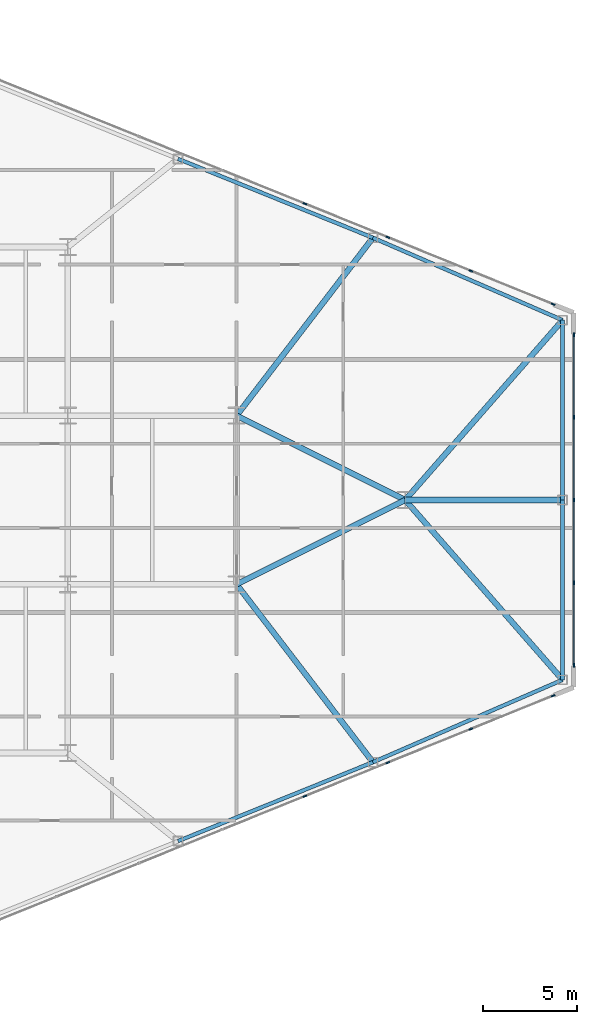
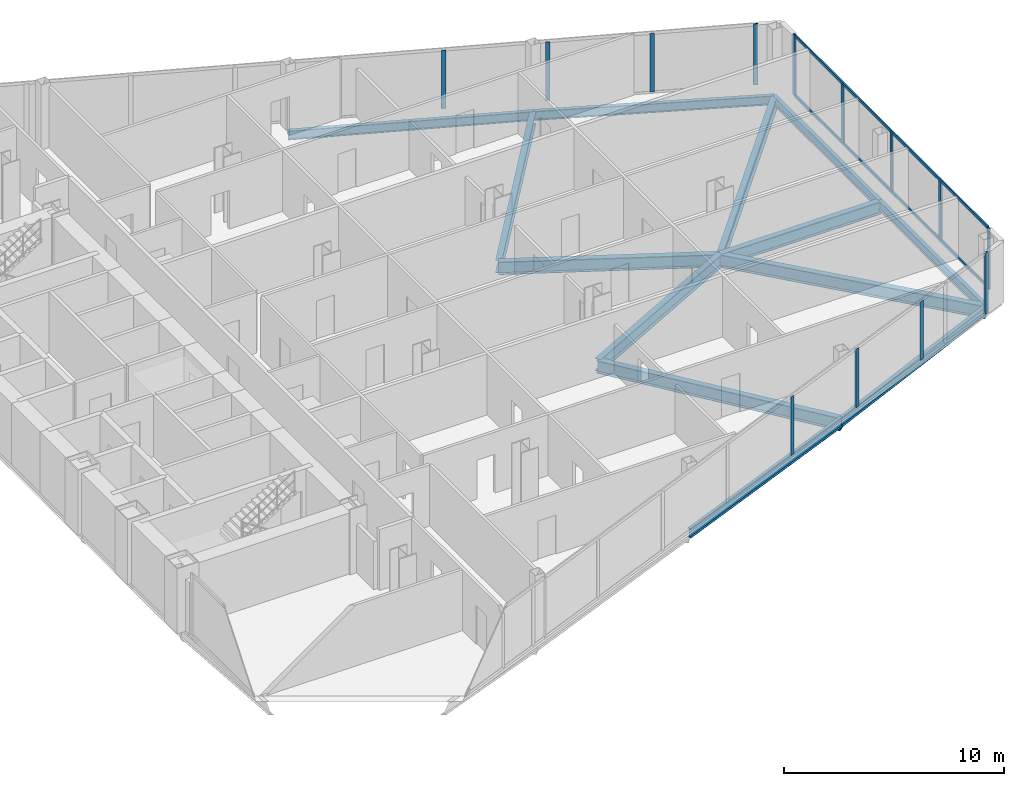
# One storey, part 14 of 25: 15 members, 13 beams, 3 elements without a shape of their own.
"""IFC4 building model written with IfcOpenShell, lengths in metres."""

from ifc_helpers import new_model, si_unit, direction, frame, origin, origin_2d, place, context, subcontext, project, spatial, rectangle, i_section, extrude, source, transform, mapped, material, layer, layer_set, material_profile, profile_set, type_object, type_shapes, element, aggregate, save


model = new_model("IFC4")

# Units and contexts
model_context = context("Model", 3, precision=1e-05, world=origin(), true_north=direction((0.0, 1.0)))
body_context = subcontext(model_context, "Body", "Model", "MODEL_VIEW")
ifc_project = project(units=[si_unit("LENGTHUNIT", "METRE"), si_unit("AREAUNIT", "SQUARE_METRE"), si_unit("VOLUMEUNIT", "CUBIC_METRE"), si_unit("PLANEANGLEUNIT", "RADIAN"), si_unit("MASSUNIT", "GRAM", prefix="KILO")], contexts=[model_context])

# Site, building, storey
site_placement = place(None, origin())
site = spatial("IfcSite", under=ifc_project, at=site_placement, CompositionType="ELEMENT")
building_placement = place(site_placement, origin())
building = spatial("IfcBuilding", under=site, at=building_placement, Name="Seokmaru Belvedere", CompositionType="ELEMENT")
storey_placement = place(building_placement, frame((0.0, 0.0, 33.300048828125)))
storey = spatial("IfcBuildingStorey", under=building, at=storey_placement, Name="L08", CompositionType="ELEMENT", Elevation=33.300048828125)

# Beams
ifc_material_1 = material(Name="Steel SM355 (355 MPa)", Category="steel")
ifc_material_profile_1 = material_profile(ifc_material_1, i_section(OverallWidth=0.300048828125, OverallDepth=0.699951171875, WebThickness=0.012939453125, FlangeThickness=0.02392578125, at=origin_2d()), Name="H-700x300x13x24")
ifc_profile_set_1 = profile_set([ifc_material_profile_1], Name="Steel SM355 (355 MPa)")
beam_type_1 = type_object("IfcBeamType", Name="Primary Floor Girder H-700", PredefinedType="BEAM", material=ifc_profile_set_1)
shared_shape_1 = source(origin(), body_context, "Body", "SweptSolid", [
    extrude(i_section(OverallWidth=0.300048828125, OverallDepth=0.699951171875, WebThickness=0.012939453125, FlangeThickness=0.02392578125, at=origin_2d()), origin(), (0.0, 0.0, 1.0), 10.062255859375),
])
for number, where, z_axis, x_axis, name in (
    (1, (54.5, -4.5, -0.570068359375), (0.894427191, 0.4472135955, 0.0), (-0.4472135955, 0.894427191, 0.0), "L08 E Apex Converging Girder 1"),
    (2, (54.5, 4.5, -0.570068359375), (0.894427191, -0.4472135955, 0.0), (0.4472135955, 0.894427191, 0.0), "L08 E Apex Converging Girder 2"),
):
    element("IfcBeam", number, at=place(storey_placement, frame(where, z_axis=z_axis, x_axis=x_axis)), inside=storey, type_object=beam_type_1, Name=name, PredefinedType="BEAM", context=body_context, shape_type="MappedRepresentation", body=[
        mapped(shared_shape_1, transform((0.0, 0.0, 0.0), scale=1.0)),
    ])
shared_shape_2 = source(origin(), body_context, "Body", "SweptSolid", [
    extrude(i_section(OverallWidth=0.300048828125, OverallDepth=0.699951171875, WebThickness=0.012939453125, FlangeThickness=0.02392578125, at=origin_2d()), origin(), (0.0, 0.0, 1.0), 12.7529296875),
])
for number, where, z_axis, x_axis, name in (
    (3, (71.89990234375, -9.595703125, -0.570068359375), (-0.658667231479, 0.752434368019, 0.0), (-0.752434368019, -0.658667231479, 0.0), "L08 E Apex Radial Floor Girder 1"),
    (4, (71.89990234375, 9.595703125, -0.570068359375), (-0.658667231479, -0.752434368019, 0.0), (0.752434368019, -0.658667231479, 0.0), "L08 E Apex Radial Floor Girder 2"),
):
    element("IfcBeam", number, at=place(storey_placement, frame(where, z_axis=z_axis, x_axis=x_axis)), inside=storey, type_object=beam_type_1, Name=name, PredefinedType="BEAM", context=body_context, shape_type="MappedRepresentation", body=[
        mapped(shared_shape_2, transform((0.0, 0.0, 0.0), scale=1.0)),
    ])
ifc_material_profile_2 = material_profile(ifc_material_1, i_section(OverallWidth=0.199951171875, OverallDepth=0.5, WebThickness=0.010009765625, FlangeThickness=0.01611328125, at=origin_2d()), Name="H-500x200x10x16")
ifc_profile_set_2 = profile_set([ifc_material_profile_2], Name="Steel SM355 (355 MPa)")
beam_type_2 = type_object("IfcBeamType", Name="Perimeter Spandrel Beam H-500", PredefinedType="SPANDREL", material=ifc_profile_set_2)
shared_shape_3 = source(origin(), body_context, "Body", "SweptSolid", [
    extrude(i_section(OverallWidth=0.199951171875, OverallDepth=0.5, WebThickness=0.010009765625, FlangeThickness=0.01611328125, at=origin_2d()), origin(), (0.0, 0.0, 1.0), 11.220703125),
])
for number, where, z_axis, x_axis, name in (
    (5, (51.378173828125, -18.2041015625, -0.469970703125), (0.926944290816, 0.375198989503, 0.0), (-0.375198989503, 0.926944290816, 0.0), "L08 E Faceted Flank Spandrel S-3"),
    (6, (51.378173828125, 18.2041015625, -0.469970703125), (0.926944290816, -0.375198989503, 0.0), (0.375198989503, 0.926944290816, 0.0), "L08 E Faceted Flank Spandrel N-3"),
):
    element("IfcBeam", number, at=place(storey_placement, frame(where, z_axis=z_axis, x_axis=x_axis)), inside=storey, type_object=beam_type_2, Name=name, PredefinedType="SPANDREL", context=body_context, shape_type="MappedRepresentation", body=[
        mapped(shared_shape_3, transform((0.0, 0.0, 0.0), scale=1.0)),
    ])
shared_shape_4 = source(origin(), body_context, "Body", "SweptSolid", [
    extrude(i_section(OverallWidth=0.199951171875, OverallDepth=0.5, WebThickness=0.010009765625, FlangeThickness=0.01611328125, at=origin_2d()), origin(), (0.0, 0.0, 1.0), 11.035400390625),
])
for number, where, z_axis, x_axis, name in (
    (7, (61.779052734375, -13.994140625, -0.469970703125), (0.917134058682, 0.398578873507, 0.0), (-0.398578873507, 0.917134058682, 0.0), "L08 E Faceted Flank Spandrel S-4"),
    (8, (61.779052734375, 13.994140625, -0.469970703125), (0.917134058682, -0.398578873507, 0.0), (0.398578873507, 0.917134058682, 0.0), "L08 E Faceted Flank Spandrel N-4"),
):
    element("IfcBeam", number, at=place(storey_placement, frame(where, z_axis=z_axis, x_axis=x_axis)), inside=storey, type_object=beam_type_2, Name=name, PredefinedType="SPANDREL", context=body_context, shape_type="MappedRepresentation", body=[
        mapped(shared_shape_4, transform((0.0, 0.0, 0.0), scale=1.0)),
    ])
shared_shape_5 = source(origin(), body_context, "Body", "SweptSolid", [
    extrude(i_section(OverallWidth=0.199951171875, OverallDepth=0.5, WebThickness=0.010009765625, FlangeThickness=0.01611328125, at=origin_2d()), origin(), (0.0, 0.0, 1.0), 9.595703125),
])
type_shapes(beam_type_2, [shared_shape_3, shared_shape_4, shared_shape_5])
for number, where, z_axis, x_axis, name in (
    (9, (71.89990234375, -9.595703125, -0.469970703125), (0.0, 1.0, 0.0), (-1.0, 0.0, 0.0), "L08 E Faceted Apex Spandrel S"),
    (10, (71.89990234375, 0.0, -0.469970703125), (0.0, 1.0, 0.0), (-1.0, 0.0, 0.0), "L08 E Faceted Apex Spandrel N"),
):
    element("IfcBeam", number, at=place(storey_placement, frame(where, z_axis=z_axis, x_axis=x_axis)), inside=storey, type_object=beam_type_2, Name=name, PredefinedType="SPANDREL", context=body_context, shape_type="MappedRepresentation", body=[
        mapped(shared_shape_5, transform((0.0, 0.0, 0.0), scale=1.0)),
    ])
shared_shape_6 = source(origin(), body_context, "Body", "SweptSolid", [
    extrude(i_section(OverallWidth=0.300048828125, OverallDepth=0.699951171875, WebThickness=0.012939453125, FlangeThickness=0.02392578125, at=origin_2d()), origin(), (0.0, 0.0, 1.0), 11.96337890625),
])
for number, where, z_axis, x_axis, name in (
    (11, (61.779052734375, -13.994140625, -0.570068359375), (-0.608442682624, 0.793597821294, 0.0), (-0.793597821294, -0.608442682624, 0.0), "L08 E Flank Radial Floor Girder S-3"),
    (12, (61.779052734375, 13.994140625, -0.570068359375), (-0.608442682624, -0.793597821294, 0.0), (0.793597821294, -0.608442682624, 0.0), "L08 E Flank Radial Floor Girder N-3"),
):
    element("IfcBeam", number, at=place(storey_placement, frame(where, z_axis=z_axis, x_axis=x_axis)), inside=storey, type_object=beam_type_1, Name=name, PredefinedType="BEAM", context=body_context, shape_type="MappedRepresentation", body=[
        mapped(shared_shape_6, transform((0.0, 0.0, 0.0), scale=1.0)),
    ])
shared_shape_7 = source(origin(), body_context, "Body", "SweptSolid", [
    extrude(i_section(OverallWidth=0.300048828125, OverallDepth=0.699951171875, WebThickness=0.012939453125, FlangeThickness=0.02392578125, at=origin_2d()), origin(), (0.0, 0.0, 1.0), 8.39990234375),
])
type_shapes(beam_type_1, [shared_shape_1, shared_shape_2, shared_shape_6, shared_shape_7])
beam_placement = place(storey_placement, frame((71.89990234375, 0.0, -0.570068359375), z_axis=(-1.0, 0.0, 0.0), x_axis=(0.0, -1.0, 0.0)))
element("IfcBeam", 13, at=beam_placement, inside=storey, type_object=beam_type_1, Name="L08 E Apex Center Radial Girder", PredefinedType="BEAM", context=body_context, shape_type="MappedRepresentation", body=[
    mapped(shared_shape_7, transform((0.0, 0.0, 0.0), scale=1.0)),
])

# Curtain wall, members
ifc_material_2 = material(Name="Bronze Triple Insulating Glass", Category="glass")
ifc_layer = layer(ifc_material_2, 0.2099609375)
ifc_layer_set = layer_set([ifc_layer], Name="Bronze Triple Insulating Glass")
curtain_wall_type = type_object("IfcCurtainWallType", Name="Low-Rise Faceted Crystal Curtain Wall System CW-2", PredefinedType="NOTDEFINED", material=ifc_layer_set)
curtain_wall_1_placement = place(storey_placement, origin())
curtain_wall_1 = element("IfcCurtainWall", 14, at=curtain_wall_1_placement, inside=storey, type_object=curtain_wall_type, Name="L08 Curtain Wall EF1", PredefinedType="NOTDEFINED")
ifc_material_3 = material(Name="Anodised Bronze Aluminium", Category="aluminium")
ifc_material_profile_3 = material_profile(ifc_material_3, rectangle(XDim=0.074951171875, YDim=0.2099609375, at=origin_2d()), Name="CW-M-75x210")
ifc_profile_set_3 = profile_set([ifc_material_profile_3], Name="Anodised Bronze Aluminium")
member_type_1 = type_object("IfcMemberType", Name="Bronze Unitised Mullion 75x210", PredefinedType="MULLION", material=ifc_profile_set_3)
shared_shape_8 = source(origin(), body_context, "Body", "SweptSolid", [
    extrude(rectangle(XDim=0.074951171875, YDim=0.2099609375, at=origin_2d()), origin(), (0.0, 0.0, 1.0), 3.239990234375),
])
member_1_placement = place(storey_placement, frame((58.144775390625, -15.810546875, 0.070068359375), z_axis=(0.0, 0.0, 1.0), x_axis=(-0.375192321888, 0.926946989637, 0.0)))
member_1 = element("IfcMember", 15, at=member_1_placement, type_object=member_type_1, Name="CW:L08:EF1 Mullion 7", PredefinedType="MULLION", context=body_context, shape_type="MappedRepresentation", body=[
    mapped(shared_shape_8, transform((0.0, 0.0, 0.0), scale=1.0)),
])
member_2_placement = place(storey_placement, frame((62.574462890625, -14.017578125, 0.070068359375), z_axis=(0.0, 0.0, 1.0), x_axis=(-0.375192321888, 0.926946989637, 0.0)))
member_2 = element("IfcMember", 16, at=member_2_placement, type_object=member_type_1, Name="CW:L08:EF1 Mullion 8", PredefinedType="MULLION", context=body_context, shape_type="MappedRepresentation", body=[
    mapped(shared_shape_8, transform((0.0, 0.0, 0.0), scale=1.0)),
])
member_3_placement = place(storey_placement, frame((67.004150390625, -12.224609375, 0.070068359375), z_axis=(0.0, 0.0, 1.0), x_axis=(-0.375192321888, 0.926946989637, 0.0)))
member_3 = element("IfcMember", 17, at=member_3_placement, type_object=member_type_1, Name="CW:L08:EF1 Mullion 9", PredefinedType="MULLION", context=body_context, shape_type="MappedRepresentation", body=[
    mapped(shared_shape_8, transform((0.0, 0.0, 0.0), scale=1.0)),
])

curtain_wall_2_placement = place(storey_placement, origin())
curtain_wall_2 = element("IfcCurtainWall", 18, at=curtain_wall_2_placement, inside=storey, type_object=curtain_wall_type, Name="L08 Curtain Wall EF2", PredefinedType="NOTDEFINED")
member_4_placement = place(storey_placement, frame((72.5, -4.425048828125, 0.070068359375), z_axis=(0.0, 0.0, 1.0), x_axis=(-1.0, 0.0, 0.0)))
member_4 = element("IfcMember", 19, at=member_4_placement, type_object=member_type_1, Name="CW:L08:EF2 Mullion 2", PredefinedType="MULLION", context=body_context, shape_type="MappedRepresentation", body=[
    mapped(shared_shape_8, transform((0.0, 0.0, 0.0), scale=1.0)),
])
member_5_placement = place(storey_placement, frame((72.5, 0.0, 0.070068359375), z_axis=(0.0, 0.0, 1.0), x_axis=(-1.0, 0.0, 0.0)))
member_5 = element("IfcMember", 20, at=member_5_placement, type_object=member_type_1, Name="CW:L08:EF2 Mullion 3", PredefinedType="MULLION", context=body_context, shape_type="MappedRepresentation", body=[
    mapped(shared_shape_8, transform((0.0, 0.0, 0.0), scale=1.0)),
])
member_6_placement = place(storey_placement, frame((72.5, 4.425048828125, 0.070068359375), z_axis=(0.0, 0.0, 1.0), x_axis=(-1.0, 0.0, 0.0)))
member_6 = element("IfcMember", 21, at=member_6_placement, type_object=member_type_1, Name="CW:L08:EF2 Mullion 4", PredefinedType="MULLION", context=body_context, shape_type="MappedRepresentation", body=[
    mapped(shared_shape_8, transform((0.0, 0.0, 0.0), scale=1.0)),
])

curtain_wall_3_placement = place(storey_placement, origin())
curtain_wall_3 = element("IfcCurtainWall", 22, at=curtain_wall_3_placement, inside=storey, type_object=curtain_wall_type, Name="L08 Curtain Wall EF3", PredefinedType="NOTDEFINED")
member_7_placement = place(storey_placement, frame((67.004150390625, 12.224609375, 0.070068359375), z_axis=(0.0, 0.0, 1.0), x_axis=(-0.375192321888, -0.926946989637, 0.0)))
member_7 = element("IfcMember", 23, at=member_7_placement, type_object=member_type_1, Name="CW:L08:EF3 Mullion 2", PredefinedType="MULLION", context=body_context, shape_type="MappedRepresentation", body=[
    mapped(shared_shape_8, transform((0.0, 0.0, 0.0), scale=1.0)),
])
member_8_placement = place(storey_placement, frame((62.574462890625, 14.017578125, 0.070068359375), z_axis=(0.0, 0.0, 1.0), x_axis=(-0.375192321888, -0.926946989637, 0.0)))
member_8 = element("IfcMember", 24, at=member_8_placement, type_object=member_type_1, Name="CW:L08:EF3 Mullion 3", PredefinedType="MULLION", context=body_context, shape_type="MappedRepresentation", body=[
    mapped(shared_shape_8, transform((0.0, 0.0, 0.0), scale=1.0)),
])
member_9_placement = place(storey_placement, frame((58.144775390625, 15.810546875, 0.070068359375), z_axis=(0.0, 0.0, 1.0), x_axis=(-0.375192321888, -0.926946989637, 0.0)))
member_9 = element("IfcMember", 25, at=member_9_placement, type_object=member_type_1, Name="CW:L08:EF3 Mullion 4", PredefinedType="MULLION", context=body_context, shape_type="MappedRepresentation", body=[
    mapped(shared_shape_8, transform((0.0, 0.0, 0.0), scale=1.0)),
])

# Member
ifc_material_profile_4 = material_profile(ifc_material_3, rectangle(XDim=0.070068359375, YDim=0.1650390625, at=origin_2d()), Name="CW-T-70x165")
ifc_profile_set_4 = profile_set([ifc_material_profile_4], Name="Anodised Bronze Aluminium")
member_type_2 = type_object("IfcMemberType", Name="Bronze Unitised Transom 70x165", PredefinedType="USERDEFINED", material=ifc_profile_set_4)
shared_shape_9 = source(origin(), body_context, "Body", "SweptSolid", [
    extrude(rectangle(XDim=0.070068359375, YDim=0.1650390625, at=origin_2d()), origin(), (0.0, 0.0, 1.0), 17.5498046875),
])
type_shapes(member_type_2, [shared_shape_9])
member_10_placement = place(storey_placement, frame((72.5, -8.77490234375, 0.034912109375), z_axis=(0.0, 1.0, 0.0), x_axis=(-1.0, 0.0, 0.0)))
member_10 = element("IfcMember", 26, at=member_10_placement, type_object=member_type_2, Name="CW:L08:EF2 Continuous Transom 1", ObjectType="TRANSOM", PredefinedType="USERDEFINED", context=body_context, shape_type="MappedRepresentation", body=[
    mapped(shared_shape_9, transform((0.0, 0.0, 0.0), scale=1.0)),
])

member_11_placement = place(storey_placement, frame((72.5, -8.77490234375, 3.344970703125), z_axis=(0.0, 1.0, 0.0), x_axis=(-1.0, 0.0, 0.0)))
member_11 = element("IfcMember", 27, at=member_11_placement, type_object=member_type_2, Name="CW:L08:EF2 Continuous Transom 2", ObjectType="TRANSOM", PredefinedType="USERDEFINED", context=body_context, shape_type="MappedRepresentation", body=[
    mapped(shared_shape_9, transform((0.0, 0.0, 0.0), scale=1.0)),
])

shared_shape_10 = source(origin(), body_context, "Body", "SweptSolid", [
    extrude(rectangle(XDim=0.074951171875, YDim=0.2099609375, at=origin_2d()), origin(), (0.0, 0.0, 1.0), 3.3798828125),
])
type_shapes(member_type_1, [shared_shape_8, shared_shape_10])
member_12_placement = place(storey_placement, frame((71.399169921875, -10.445556640625, 0.0), z_axis=(0.0, 0.0, 1.0), x_axis=(-0.375192321888, 0.926946989637, 0.0)))
member_12 = element("IfcMember", 28, at=member_12_placement, type_object=member_type_1, Name="CW:L08:EF1 Mullion 10", PredefinedType="MULLION", context=body_context, shape_type="MappedRepresentation", body=[
    mapped(shared_shape_10, transform((0.0, 0.0, 0.0), scale=1.0)),
])

aggregate(curtain_wall_1, [member_1, member_2, member_3, member_12])

member_13_placement = place(storey_placement, frame((72.5, -8.8125, 0.0), z_axis=(0.0, 0.0, 1.0), x_axis=(-1.0, 0.0, 0.0)))
member_13 = element("IfcMember", 29, at=member_13_placement, type_object=member_type_1, Name="CW:L08:EF2 Mullion 1", PredefinedType="MULLION", context=body_context, shape_type="MappedRepresentation", body=[
    mapped(shared_shape_10, transform((0.0, 0.0, 0.0), scale=1.0)),
])

member_14_placement = place(storey_placement, frame((72.5, 8.8125, 0.0), z_axis=(0.0, 0.0, 1.0), x_axis=(-1.0, 0.0, 0.0)))
member_14 = element("IfcMember", 30, at=member_14_placement, type_object=member_type_1, Name="CW:L08:EF2 Mullion 5", PredefinedType="MULLION", context=body_context, shape_type="MappedRepresentation", body=[
    mapped(shared_shape_10, transform((0.0, 0.0, 0.0), scale=1.0)),
])

aggregate(curtain_wall_2, [member_13, member_4, member_5, member_6, member_14, member_10, member_11])

member_15_placement = place(storey_placement, frame((71.399169921875, 10.445556640625, 0.0), z_axis=(0.0, 0.0, 1.0), x_axis=(-0.375192321888, -0.926946989637, 0.0)))
member_15 = element("IfcMember", 31, at=member_15_placement, type_object=member_type_1, Name="CW:L08:EF3 Mullion 1", PredefinedType="MULLION", context=body_context, shape_type="MappedRepresentation", body=[
    mapped(shared_shape_10, transform((0.0, 0.0, 0.0), scale=1.0)),
])

aggregate(curtain_wall_3, [member_15, member_7, member_8, member_9])

save(model, "model.ifc")
